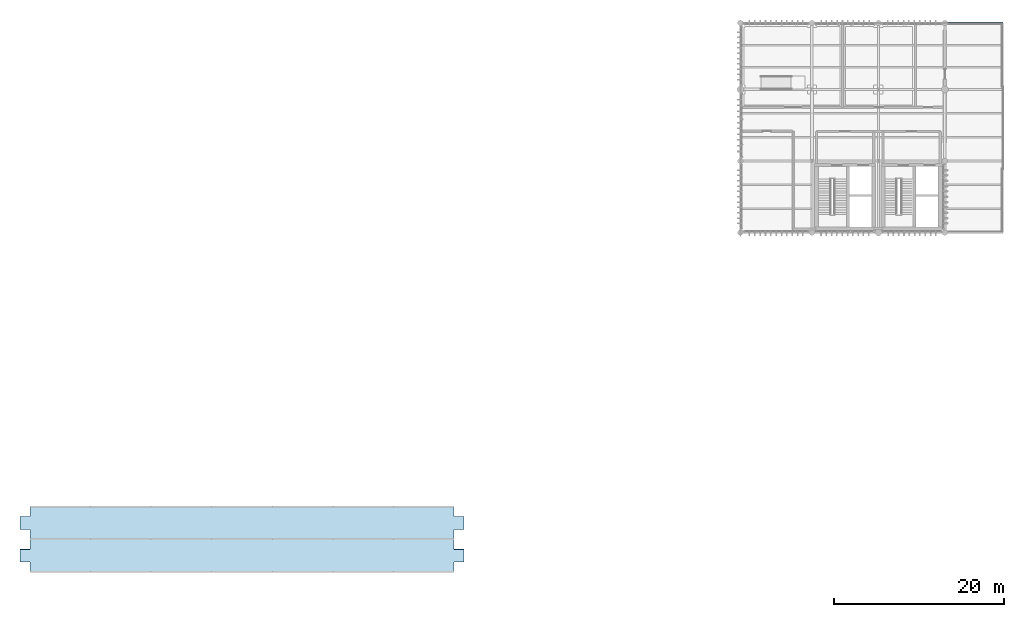
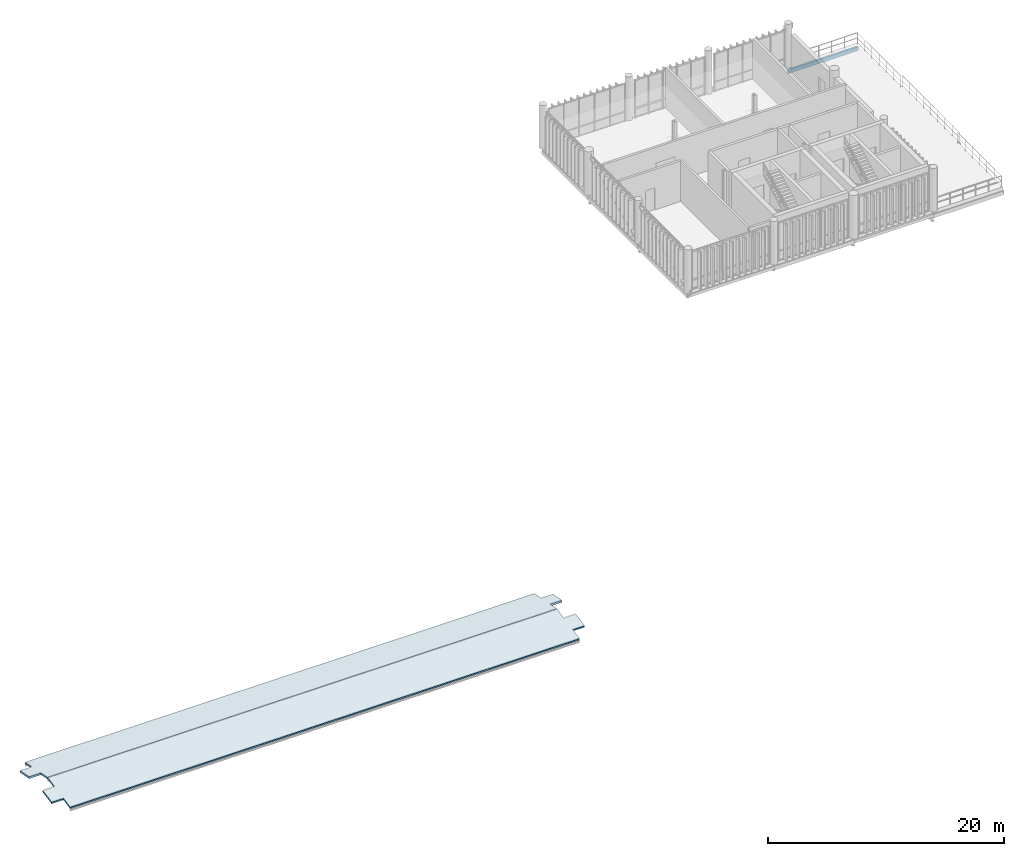
# One storey, part 12 of 19: 2 slabs, 1 beam.
"""IFC4 building model written with IfcOpenShell, lengths in metres."""

from ifc_helpers import new_model, si_unit, direction, frame, origin_with_axes, origin_2d_with_axis, place, context, subcontext, project, spatial, polyline, hollow_rectangle, outline, extrude, material, layer, layer_set, material_profile, profile_set, type_object, element, save


model = new_model("IFC4")

# Units and contexts
model_context = context("Model", 3, precision=1e-05, world=origin_with_axes(), true_north=direction((0.0, 1.0)))
body_context = subcontext(model_context, "Body", "Model", "MODEL_VIEW")
ifc_project = project(units=[si_unit("LENGTHUNIT", "METRE"), si_unit("AREAUNIT", "SQUARE_METRE"), si_unit("VOLUMEUNIT", "CUBIC_METRE"), si_unit("PLANEANGLEUNIT", "RADIAN"), si_unit("MASSUNIT", "GRAM", prefix="KILO"), si_unit("THERMODYNAMICTEMPERATUREUNIT", "KELVIN")], contexts=[model_context])

# Site, building, storey
site_placement = place(None, origin_with_axes())
site = spatial("IfcSite", under=ifc_project, at=site_placement, CompositionType="ELEMENT")
building_placement = place(site_placement, origin_with_axes())
building = spatial("IfcBuilding", under=site, at=building_placement, Name="Montbau Bow Law Courts", CompositionType="ELEMENT")
storey_placement = place(building_placement, frame((0.0, 0.0, 43.5), z_axis=(0.0, 0.0, 1.0), x_axis=(1.0, 0.0, 0.0)))
storey = spatial("IfcBuildingStorey", under=building, at=storey_placement, Name="L09", CompositionType="ELEMENT", Elevation=43.5)

# Beam
ifc_material_1 = material(Name="Steel CSA G40.21 Grade 350WT (350 MPa)", Category="steel")
ifc_material_profile = material_profile(ifc_material_1, hollow_rectangle(XDim=0.203, YDim=0.406, WallThickness=0.0127, InnerFilletRadius=0.0254, OuterFilletRadius=0.0127, at=origin_2d_with_axis()), Name="HSS406X203X13", Category="Main", Priority=0)
ifc_profile_set = profile_set([ifc_material_profile], Name="Steel CSA G40.21 Grade 350WT (350 MPa)")
beam_type = type_object("IfcBeamType", Name="B-SPN-01", PredefinedType="SPANDREL", material=ifc_profile_set)
beam_placement = place(None, frame((162.6, 111.0, 42.937), z_axis=(1.0, 0.0, 0.0), x_axis=(0.0, 1.0, 0.0)))
element("IfcBeam", 1, at=beam_placement, inside=storey, type_object=beam_type, Name="SPN-L09-S1399:bm2_1402", PredefinedType="SPANDREL", context=body_context, shape_type="SweptSolid", body=[
    extrude(hollow_rectangle(XDim=0.203, YDim=0.406, WallThickness=0.0127, InnerFilletRadius=0.0254, OuterFilletRadius=0.0127, at=origin_2d_with_axis()), origin_with_axes(), (0.0, 0.0, 1.0), 6.8),
])

# Slabs
ifc_material_2 = material(Name="Concrete CSA A23.1 f'c 40 MPa", Category="concrete")
ifc_layer = layer(ifc_material_2, 0.17, Name="Roof Slab", Category="concrete")
ifc_layer_set = layer_set([ifc_layer], Name="Concrete CSA A23.1 f'c 40 MPa")
slab_type = type_object("IfcSlabType", Name="SL-ROF-04", PredefinedType="ROOF", material=ifc_layer_set)
slab_1_placement = place(None, frame((0.0, 0.0, 34.251298), z_axis=(0.0, -0.191395051, 0.981513084), x_axis=(1.0, 0.0, 0.0)))
element("IfcSlab", 2, at=slab_1_placement, inside=storey, type_object=slab_type, Name="BV-SLB-V3-F3:slb_0088", PredefinedType="ROOF", context=body_context, shape_type="SweptSolid", body=[
    extrude(outline(polyline([(55.2, 47.477717), (105.0, 47.477717), (105.0, 48.639189), (106.15, 48.639189), (106.15, 50.187818), (105.0, 50.187818), (105.0, 51.34929), (55.2, 51.34929), (55.2, 50.187818), (54.05, 50.187818), (54.05, 48.639189), (55.2, 48.639189), (55.2, 47.477717)])), origin_with_axes(), (0.0, 0.0, 1.0), 0.17),
])
slab_2_placement = place(None, frame((0.0, 0.0, 53.907298), z_axis=(0.0, 0.191395051, 0.981513084), x_axis=(1.0, 0.0, 0.0)))
element("IfcSlab", 3, at=slab_2_placement, inside=storey, type_object=slab_type, Name="BV-SLB-V3-F4:slb_0089", PredefinedType="ROOF", context=body_context, shape_type="SweptSolid", body=[
    extrude(outline(polyline([(55.2, 51.34929), (105.0, 51.34929), (105.0, 52.510762), (106.15, 52.510762), (106.15, 54.059391), (105.0, 54.059391), (105.0, 55.220863), (55.2, 55.220863), (55.2, 54.059391), (54.05, 54.059391), (54.05, 52.510762), (55.2, 52.510762), (55.2, 51.34929)])), origin_with_axes(), (0.0, 0.0, 1.0), 0.17),
])

save(model, "model.ifc")
